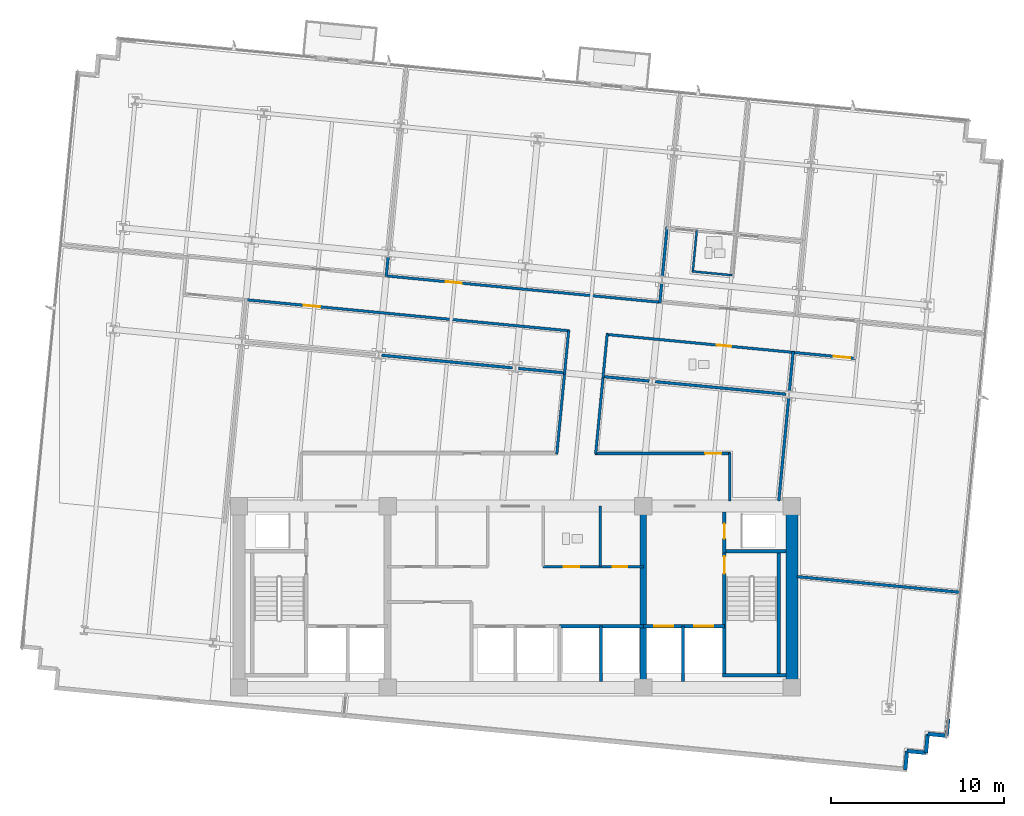
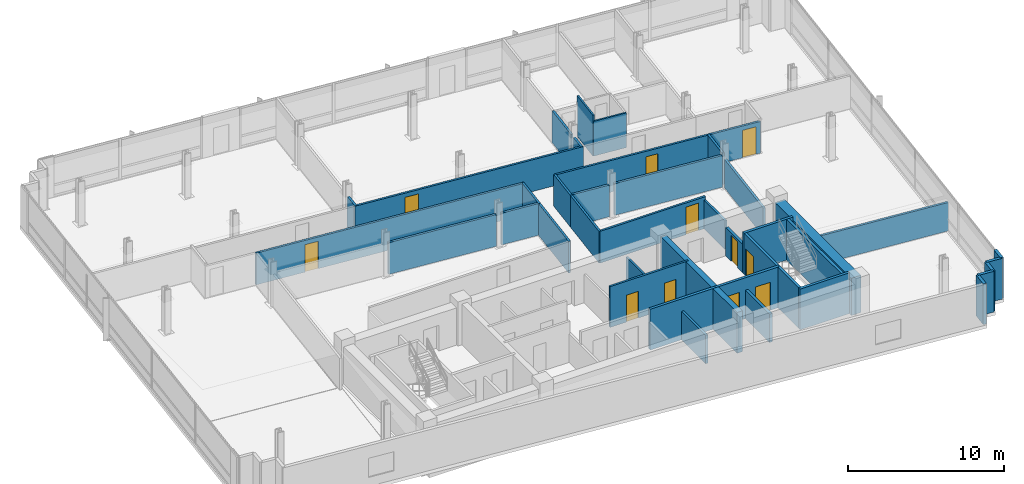
# One storey, part 11 of 17: 40 walls, 11 doors, 11 openings.
"""IFC4 building model written with IfcOpenShell, lengths in metres."""

from ifc_helpers import new_model, si_unit, direction, frame, frame_2d, origin, place, context, subcontext, project, spatial, rectangle, extrude, material, layer, layer_set, type_object, element, fill, save


model = new_model("IFC4")

# Units and contexts
model_context = context("Model", 3, precision=1e-05, world=origin(), true_north=direction((0.0, 1.0)))
body_context = subcontext(model_context, "Body", "Model", "MODEL_VIEW")
ifc_project = project(units=[si_unit("LENGTHUNIT", "METRE"), si_unit("AREAUNIT", "SQUARE_METRE"), si_unit("VOLUMEUNIT", "CUBIC_METRE"), si_unit("PLANEANGLEUNIT", "RADIAN"), si_unit("MASSUNIT", "GRAM", prefix="KILO")], contexts=[model_context])

# Site, building, storey
site_placement = place(None, origin())
site = spatial("IfcSite", under=ifc_project, at=site_placement, CompositionType="ELEMENT")
building_placement = place(site_placement, origin())
building = spatial("IfcBuilding", under=site, at=building_placement, Name="Solmavex Isthmus Hotel", CompositionType="ELEMENT")
storey_placement = place(building_placement, frame((0.0, 0.0, 163.5)))
storey = spatial("IfcBuildingStorey", under=building, at=storey_placement, Name="L44", CompositionType="ELEMENT", Elevation=163.5)

# Walls
ifc_material_1 = material(Name="Precast Concrete C40/50", Category="concrete")
ifc_layer_1 = layer(ifc_material_1, 0.25)
ifc_layer_set_1 = layer_set([ifc_layer_1], Name="Precast Concrete C40/50")
wall_type_1 = type_object("IfcWallType", Name="EW-TWR-250", PredefinedType="STANDARD", material=ifc_layer_set_1)
wall_1_placement = place(storey_placement, frame((25.0615234375, -14.804931640625, 0.0), z_axis=(0.0, 0.0, 1.0), x_axis=(-0.095914428506, -0.995389583231, 0.0)))
element("IfcWall", 1, at=wall_1_placement, inside=storey, type_object=wall_type_1, Name="Serrated Corner Facade Panel L44-21", PredefinedType="STANDARD", context=body_context, shape_type="SweptSolid", body=[
    extrude(rectangle(XDim=0.990234375, YDim=0.219970703125, at=frame_2d((0.4951171875, 0.0))), origin(), (0.0, 0.0, 1.0), 3.18994140625),
])
for number, where, z_axis, x_axis, name in (
    (2, (24.966552734375, -15.79052734375, 0.0), (0.0, 0.0, 1.0), (-0.995393156894, 0.095877334176, 0.0), "Serrated Corner Facade Panel L44-22"),
    (3, (23.87158203125, -15.68505859375, 0.0), (0.0, 0.0, 1.0), (-0.095877334176, -0.995393156894, 0.0), "Serrated Corner Facade Panel L44-23"),
    (4, (23.76611328125, -16.780029296875, 0.0), (0.0, 0.0, 1.0), (-0.995393156894, 0.095877334176, 0.0), "Serrated Corner Facade Panel L44-24"),
    (5, (22.671142578125, -16.674560546875, 0.0), (0.0, 0.0, 1.0), (-0.095657429048, -0.995414313875, 0.0), "Serrated Corner Facade Panel L44-25"),
):
    element("IfcWall", number, at=place(storey_placement, frame(where, z_axis=z_axis, x_axis=x_axis)), inside=storey, type_object=wall_type_1, Name=name, PredefinedType="STANDARD", context=body_context, shape_type="SweptSolid", body=[
        extrude(rectangle(XDim=1.10009765625, YDim=0.219970703125, at=frame_2d((0.550048828125, 0.0))), origin(), (0.0, 0.0, 1.0), 3.18994140625),
    ])
ifc_material_2 = material(Name="Gypsum plasterboard lining", Category="gypsum")
ifc_layer_2 = layer(ifc_material_2, 0.159912109375)
ifc_layer_set_2 = layer_set([ifc_layer_2], Name="Gypsum plasterboard lining")
wall_type_2 = type_object("IfcWallType", Name="IW-COMP-160", PredefinedType="PARTITIONING", material=ifc_layer_set_2)
for number, where, z_axis, x_axis, name in (
    (6, (-7.36865234375, 11.95849609375, 0.0), (0.0, 0.0, 1.0), (-0.095831494917, -0.995397571115, 0.0), "Interior Partition Wall W-L44-P019"),
    (7, (8.469970703125, 10.433349609375, 0.0), (0.0, 0.0, 1.0), (-0.095831494917, -0.995397571115, 0.0), "Interior Partition Wall W-L44-P023"),
):
    element("IfcWall", number, at=place(storey_placement, frame(where, z_axis=z_axis, x_axis=x_axis)), inside=storey, type_object=wall_type_2, Name=name, PredefinedType="PARTITIONING", context=body_context, shape_type="SweptSolid", body=[
        extrude(rectangle(XDim=1.171875, YDim=0.159912109375, at=frame_2d((0.5859375, 0.0))), origin(), (0.0, 0.0, 1.0), 2.4794921875),
    ])
wall_2_placement = place(storey_placement, frame((8.7822265625, 13.676513671875, 0.0), z_axis=(0.0, 0.0, 1.0), x_axis=(-0.095851667856, -0.995395628767, 0.0)))
element("IfcWall", 8, at=wall_2_placement, inside=storey, type_object=wall_type_2, Name="Interior Partition Wall W-L44-P024", PredefinedType="PARTITIONING", context=body_context, shape_type="SweptSolid", body=[
    extrude(rectangle(XDim=2.90625, YDim=0.159912109375, at=frame_2d((1.453125, 0.0))), origin(), (0.0, 0.0, 1.0), 2.4794921875),
])
wall_3_placement = place(storey_placement, frame((7.745361328125, 4.74462890625, 0.0), z_axis=(0.0, 0.0, 1.0), x_axis=(-0.995392910691, 0.095879890208, 0.0)))
element("IfcWall", 9, at=wall_3_placement, inside=storey, type_object=wall_type_2, Name="Interior Partition Wall W-L44-P039", PredefinedType="PARTITIONING", context=body_context, shape_type="SweptSolid", body=[
    extrude(rectangle(XDim=2.721923828125, YDim=0.159912109375, at=frame_2d((1.36083984375, 0.0))), origin(), (0.0, 0.0, 1.0), 2.4794921875),
])
wall_4_placement = place(storey_placement, frame((15.664794921875, 3.982177734375, 0.0), z_axis=(0.0, 0.0, 1.0), x_axis=(-0.995396667246, 0.095840882902, 0.0)))
element("IfcWall", 10, at=wall_4_placement, inside=storey, type_object=wall_type_2, Name="Interior Partition Wall W-L44-P040", PredefinedType="PARTITIONING", context=body_context, shape_type="SweptSolid", body=[
    extrude(rectangle(XDim=7.603759765625, YDim=0.159912109375, at=frame_2d((3.8017578125, 0.0))), origin(), (0.0, 0.0, 1.0), 2.4794921875),
])
wall_5_placement = place(storey_placement, frame((16.07861328125, 6.44384765625, 0.0), z_axis=(0.0, 0.0, 1.0), x_axis=(-0.095794827695, -0.995401100555, 0.0)))
element("IfcWall", 11, at=wall_5_placement, inside=storey, type_object=wall_type_2, Name="Interior Partition Wall W-L44-P041", PredefinedType="PARTITIONING", context=body_context, shape_type="SweptSolid", body=[
    extrude(rectangle(XDim=2.314208984375, YDim=0.159912109375, at=frame_2d((1.1572265625, 0.0))), origin(), (0.0, 0.0, 1.0), 2.4794921875),
])
wall_6_placement = place(storey_placement, frame((-0.173828125, 5.507080078125, 0.0), z_axis=(0.0, 0.0, 1.0), x_axis=(-0.995393898805, 0.095869631385, 0.0)))
element("IfcWall", 12, at=wall_6_placement, inside=storey, type_object=wall_type_2, Name="Interior Partition Wall W-L44-P043", PredefinedType="PARTITIONING", context=body_context, shape_type="SweptSolid", body=[
    extrude(rectangle(XDim=7.60400390625, YDim=0.159912109375, at=frame_2d((3.802001953125, 0.0))), origin(), (0.0, 0.0, 1.0), 2.4794921875),
])
wall_7_placement = place(storey_placement, frame((2.885986328125, 5.212646484375, 0.0), z_axis=(0.0, 0.0, 1.0), x_axis=(-0.995401466761, 0.095791022391, 0.0)))
element("IfcWall", 13, at=wall_7_placement, inside=storey, type_object=wall_type_2, Name="Interior Partition Wall W-L44-P044", PredefinedType="PARTITIONING", context=body_context, shape_type="SweptSolid", body=[
    extrude(rectangle(XDim=2.721923828125, YDim=0.159912109375, at=frame_2d((1.36083984375, 0.0))), origin(), (0.0, 0.0, 1.0), 2.4794921875),
])
wall_8_placement = place(storey_placement, frame((15.8232421875, 3.7900390625, 0.0), z_axis=(0.0, 0.0, 1.0), x_axis=(-0.095865726078, -0.99539427493, 0.0)))
element("IfcWall", 14, at=wall_8_placement, inside=storey, type_object=wall_type_2, Name="Interior Partition Wall W-L44-P046", PredefinedType="PARTITIONING", context=body_context, shape_type="SweptSolid", body=[
    extrude(rectangle(XDim=6.007568359375, YDim=0.159912109375, at=frame_2d((3.00390625, 0.0))), origin(), (0.0, 0.0, 1.0), 2.22509765625),
])
wall_9_placement = place(storey_placement, frame((25.795654296875, -7.49169921875, 0.0), z_axis=(0.0, 0.0, 1.0), x_axis=(-0.995396487733, 0.095842747294, 0.0)))
element("IfcWall", 15, at=wall_9_placement, inside=storey, type_object=wall_type_2, Name="Interior Partition Wall W-L44-P049", PredefinedType="PARTITIONING", context=body_context, shape_type="SweptSolid", body=[
    extrude(rectangle(XDim=9.529541015625, YDim=0.159912109375, at=frame_2d((4.7646484375, 0.0))), origin(), (0.0, 0.0, 1.0), 2.22509765625),
])

# Wall, openings, doors
ifc_layer_3 = layer(ifc_material_2, 0.14990234375)
ifc_layer_set_3 = layer_set([ifc_layer_3], Name="Gypsum plasterboard lining")
wall_type_3 = type_object("IfcWallType", Name="IW-CORR-150", PredefinedType="PARTITIONING", material=ifc_layer_set_3)
wall_10_placement = place(storey_placement, frame((1.60009765625, -6.0, 0.0), z_axis=(0.0, 0.0, 1.0), x_axis=(1.0, 0.0, 0.0)))
wall_10 = element("IfcWall", 16, at=wall_10_placement, inside=storey, type_object=wall_type_3, Name="Interior Partition Wall W-L44-BOH-ES", PredefinedType="PARTITIONING", context=body_context, shape_type="SweptSolid", body=[
    extrude(rectangle(XDim=5.7998046875, YDim=0.14990234375, at=frame_2d((2.89990234375, 0.0))), origin(), (0.0, 0.0, 1.0), 3.18994140625),
])
opening_1_placement = place(wall_10_placement, frame((1.199951171875, 0.0, 0.0)))
opening_1 = element("IfcOpeningElement", 17, at=opening_1_placement, cuts=wall_10, Name="Opening ID-C090", PredefinedType="OPENING", context=body_context, shape_type="SweptSolid", body=[
    extrude(rectangle(XDim=0.89990234375, YDim=2.10009765625, at=frame_2d((0.449951171875, 1.050048828125))), frame((0.0, 0.0849609375, 0.0), z_axis=(0.0, -1.0, 0.0), x_axis=(1.0, 0.0, 0.0)), (0.0, 0.0, 1.0), 0.169921875),
])
opening_2_placement = place(wall_10_placement, frame((4.02490234375, 0.0, 0.0)))
opening_2 = element("IfcOpeningElement", 18, at=opening_2_placement, cuts=wall_10, Name="Opening ID-R085", PredefinedType="OPENING", context=body_context, shape_type="SweptSolid", body=[
    extrude(rectangle(XDim=0.85009765625, YDim=2.050048828125, at=frame_2d((0.425048828125, 1.02490234375))), frame((0.0, 0.0849609375, 0.0), z_axis=(0.0, -1.0, 0.0), x_axis=(1.0, 0.0, 0.0)), (0.0, 0.0, 1.0), 0.169921875),
])
ifc_material_3 = material(Name="Steel ASTM A500 Grade C", Category="steel")
door_type_1 = type_object("IfcDoorType", Name="IDR-FD60-0850", OperationType="NOTDEFINED", PredefinedType="DOOR", material=ifc_material_3)
door_1_placement = place(opening_2_placement, frame((0.85009765625, 0.0, 0.0), z_axis=(0.0, 0.0, 1.0), x_axis=(-1.0, 0.0, 0.0)))
door_1 = element("IfcDoor", 19, at=door_1_placement, inside=storey, type_object=door_type_1, Name="IT Room Door L44", OperationType="SINGLE_SWING_RIGHT", OverallHeight=2.050048828125, OverallWidth=0.85009765625, PredefinedType="DOOR", context=body_context, shape_type="SweptSolid", body=[
    extrude(rectangle(XDim=0.85009765625, YDim=2.050048828125, at=frame_2d((0.425048828125, 1.02490234375))), frame((0.0, 0.02490234375, 0.0), z_axis=(0.0, -1.0, 0.0), x_axis=(1.0, 0.0, 0.0)), (0.0, 0.0, 1.0), 0.050048828125),
])
fill(opening_2, door_1)
ifc_material_4 = material(Name="Hardwood timber", Category="wood")
door_type_2 = type_object("IfcDoorType", Name="IDR-FD60-0900", OperationType="NOTDEFINED", PredefinedType="DOOR", material=ifc_material_4)
door_2_placement = place(opening_1_placement, frame((0.89990234375, 0.0, 0.0), z_axis=(0.0, 0.0, 1.0), x_axis=(-1.0, 0.0, 0.0)))
door_2 = element("IfcDoor", 20, at=door_2_placement, inside=storey, type_object=door_type_2, Name="Staff Restroom Door L44", OperationType="SINGLE_SWING_LEFT", OverallHeight=2.10009765625, OverallWidth=0.89990234375, PredefinedType="DOOR", context=body_context, shape_type="SweptSolid", body=[
    extrude(rectangle(XDim=0.89990234375, YDim=2.10009765625, at=frame_2d((0.449951171875, 1.050048828125))), frame((0.0, 0.02490234375, 0.0), z_axis=(0.0, -1.0, 0.0), x_axis=(1.0, 0.0, 0.0)), (0.0, 0.0, 1.0), 0.050048828125),
])
fill(opening_1, door_2)

# Wall, opening, door
wall_11_placement = place(storey_placement, frame((-7.558837890625, 10.839599609375, 0.0), z_axis=(0.0, 0.0, 1.0), x_axis=(0.995396443768, -0.095843203903, 0.0)))
wall_11 = element("IfcWall", 21, at=wall_11_placement, inside=storey, type_object=wall_type_3, Name="Interior Partition Wall W-L44-P002", PredefinedType="PARTITIONING", context=body_context, shape_type="SweptSolid", body=[
    extrude(rectangle(XDim=16.075927734375, YDim=0.14990234375, at=frame_2d((8.0380859375, 0.0))), origin(), (0.0, 0.0, 1.0), 2.4794921875),
])
opening_3_placement = place(wall_11_placement, frame((3.531982421875, 0.0, 0.0)))
opening_3 = element("IfcOpeningElement", 22, at=opening_3_placement, cuts=wall_11, Name="Opening ID-C095", PredefinedType="OPENING", context=body_context, shape_type="SweptSolid", body=[
    extrude(rectangle(XDim=0.949951171875, YDim=2.14990234375, at=frame_2d((0.47509765625, 1.074951171875))), frame((0.0, 0.0849609375, 0.0), z_axis=(0.0, -1.0, 0.0), x_axis=(1.0, 0.0, 0.0)), (0.0, 0.0, 1.0), 0.169921875),
])
door_type_3 = type_object("IfcDoorType", Name="IDR-FD60-0950", OperationType="NOTDEFINED", PredefinedType="DOOR", material=ifc_material_4)
door_3_placement = place(opening_3_placement, frame((0.949951171875, 0.0, 0.0), z_axis=(0.0, 0.0, 1.0), x_axis=(-1.0, 0.0, 0.0)))
door_3 = element("IfcDoor", 23, at=door_3_placement, inside=storey, type_object=door_type_3, Name="Corporate Briefing Office Door L44-02", OperationType="SINGLE_SWING_RIGHT", OverallHeight=2.14990234375, OverallWidth=0.949951171875, PredefinedType="DOOR", context=body_context, shape_type="SweptSolid", body=[
    extrude(rectangle(XDim=0.949951171875, YDim=2.14990234375, at=frame_2d((0.47509765625, 1.074951171875))), frame((0.0, 0.02490234375, 0.0), z_axis=(0.0, -1.0, 0.0), x_axis=(1.0, 0.0, 0.0)), (0.0, 0.0, 1.0), 0.050048828125),
])
fill(opening_3, door_3)

wall_12_placement = place(storey_placement, frame((16.156494140625, 6.39599609375, 0.0), z_axis=(0.0, 0.0, 1.0), x_axis=(-0.99539478422, 0.095860437863, 0.0)))
wall_12 = element("IfcWall", 24, at=wall_12_placement, inside=storey, type_object=wall_type_3, Name="Interior Partition Wall W-L44-P005", PredefinedType="PARTITIONING", context=body_context, shape_type="SweptSolid", body=[
    extrude(rectangle(XDim=10.93603515625, YDim=0.14990234375, at=frame_2d((5.468017578125, 0.0))), origin(), (0.0, 0.0, 1.0), 2.4794921875),
])
opening_4_placement = place(wall_12_placement, frame((3.675048828125, 0.0, 0.0)))
opening_4 = element("IfcOpeningElement", 25, at=opening_4_placement, cuts=wall_12, Name="Opening ID-R085", PredefinedType="OPENING", context=body_context, shape_type="SweptSolid", body=[
    extrude(rectangle(XDim=0.85009765625, YDim=2.050048828125, at=frame_2d((0.425048828125, 1.02490234375))), frame((0.0, 0.0849609375, 0.0), z_axis=(0.0, -1.0, 0.0), x_axis=(1.0, 0.0, 0.0)), (0.0, 0.0, 1.0), 0.169921875),
])
door_4_placement = place(opening_4_placement, frame((0.85009765625, 0.0, 0.0), z_axis=(0.0, 0.0, 1.0), x_axis=(-1.0, 0.0, 0.0)))
door_4 = element("IfcDoor", 26, at=door_4_placement, inside=storey, type_object=door_type_1, Name="Accessible Public Restroom WC Door L44-08", OperationType="SINGLE_SWING_RIGHT", OverallHeight=2.050048828125, OverallWidth=0.85009765625, PredefinedType="DOOR", context=body_context, shape_type="SweptSolid", body=[
    extrude(rectangle(XDim=0.85009765625, YDim=2.050048828125, at=frame_2d((0.425048828125, 1.02490234375))), frame((0.0, 0.02490234375, 0.0), z_axis=(0.0, -1.0, 0.0), x_axis=(1.0, 0.0, 0.0)), (0.0, 0.0, 1.0), 0.050048828125),
])
fill(opening_4, door_4)

# Walls
for number, where, z_axis, x_axis, name in (
    (27, (5.314453125, 7.480224609375, 0.0), (0.0, 0.0, 1.0), (-0.09587519517, -0.995393362923, 0.0), "Interior Partition Wall W-L44-P006"),
    (28, (2.83837890625, 5.134765625, 0.0), (0.0, 0.0, 1.0), (0.095772090971, 0.995403288417, 0.0), "Interior Partition Wall W-L44-P007"),
):
    element("IfcWall", number, at=place(storey_placement, frame(where, z_axis=z_axis, x_axis=x_axis)), inside=storey, type_object=wall_type_3, Name=name, PredefinedType="PARTITIONING", context=body_context, shape_type="SweptSolid", body=[
        extrude(rectangle(XDim=2.572021484375, YDim=0.14990234375, at=frame_2d((1.2861328125, 0.0))), origin(), (0.0, 0.0, 1.0), 2.4794921875),
    ])

# Wall, opening, door
wall_13_placement = place(storey_placement, frame((3.120849609375, 7.6513671875, 0.0), z_axis=(0.0, 0.0, 1.0), x_axis=(-0.995397135603, 0.095836018457, 0.0)))
wall_13 = element("IfcWall", 29, at=wall_13_placement, inside=storey, type_object=wall_type_3, Name="Interior Partition Wall W-L44-P008", PredefinedType="PARTITIONING", context=body_context, shape_type="SweptSolid", body=[
    extrude(rectangle(XDim=18.89208984375, YDim=0.14990234375, at=frame_2d((9.446044921875, 0.0))), origin(), (0.0, 0.0, 1.0), 2.4794921875),
])
opening_5_placement = place(wall_13_placement, frame((14.501708984375, 0.0, 0.0)))
opening_5 = element("IfcOpeningElement", 30, at=opening_5_placement, cuts=wall_13, Name="Opening ID-C095", PredefinedType="OPENING", context=body_context, shape_type="SweptSolid", body=[
    extrude(rectangle(XDim=0.949951171875, YDim=2.14990234375, at=frame_2d((0.47509765625, 1.074951171875))), frame((0.0, 0.0849609375, 0.0), z_axis=(0.0, -1.0, 0.0), x_axis=(1.0, 0.0, 0.0)), (0.0, 0.0, 1.0), 0.169921875),
])
door_5_placement = place(opening_5_placement, frame((0.949951171875, 0.0, 0.0), z_axis=(0.0, 0.0, 1.0), x_axis=(-1.0, 0.0, 0.0)))
door_5 = element("IfcDoor", 31, at=door_5_placement, inside=storey, type_object=door_type_3, Name="Private Dining Room Door L44-09", OperationType="SINGLE_SWING_LEFT", OverallHeight=2.14990234375, OverallWidth=0.949951171875, PredefinedType="DOOR", context=body_context, shape_type="SweptSolid", body=[
    extrude(rectangle(XDim=0.949951171875, YDim=2.14990234375, at=frame_2d((0.47509765625, 1.074951171875))), frame((0.0, 0.02490234375, 0.0), z_axis=(0.0, -1.0, 0.0), x_axis=(1.0, 0.0, 0.0)), (0.0, 0.0, 1.0), 0.050048828125),
])
fill(opening_5, door_5)

# Wall
wall_14_placement = place(storey_placement, frame((5.083740234375, 5.083251953125, 0.0), z_axis=(0.0, 0.0, 1.0), x_axis=(-0.095867331855, -0.995394120277, 0.0)))
element("IfcWall", 32, at=wall_14_placement, inside=storey, type_object=wall_type_3, Name="Interior Partition Wall W-L44-P009", PredefinedType="PARTITIONING", context=body_context, shape_type="SweptSolid", body=[
    extrude(rectangle(XDim=4.59423828125, YDim=0.14990234375, at=frame_2d((2.297119140625, 0.0))), origin(), (0.0, 0.0, 1.0), 2.4794921875),
])

# Wall, opening, door
wall_15_placement = place(storey_placement, frame((4.607177734375, 0.550048828125, 0.0), z_axis=(0.0, 0.0, 1.0), x_axis=(1.0, 0.0, 0.0)))
wall_15 = element("IfcWall", 33, at=wall_15_placement, inside=storey, type_object=wall_type_3, Name="Interior Partition Wall W-L44-P010", PredefinedType="PARTITIONING", context=body_context, shape_type="SweptSolid", body=[
    extrude(rectangle(XDim=7.832763671875, YDim=0.14990234375, at=frame_2d((3.91650390625, 0.0))), origin(), (0.0, 0.0, 1.0), 2.4794921875),
])
opening_6_placement = place(wall_15_placement, frame((6.3720703125, 0.0, 0.0)))
opening_6 = element("IfcOpeningElement", 34, at=opening_6_placement, cuts=wall_15, Name="Opening ID-C095", PredefinedType="OPENING", context=body_context, shape_type="SweptSolid", body=[
    extrude(rectangle(XDim=0.949951171875, YDim=2.14990234375, at=frame_2d((0.47509765625, 1.074951171875))), frame((0.0, 0.0849609375, 0.0), z_axis=(0.0, -1.0, 0.0), x_axis=(1.0, 0.0, 0.0)), (0.0, 0.0, 1.0), 0.169921875),
])
door_6_placement = place(opening_6_placement, origin())
door_6 = element("IfcDoor", 35, at=door_6_placement, inside=storey, type_object=door_type_3, Name="Catering Servery Kitchen Door L44-10", OperationType="SINGLE_SWING_RIGHT", OverallHeight=2.14990234375, OverallWidth=0.949951171875, PredefinedType="DOOR", context=body_context, shape_type="SweptSolid", body=[
    extrude(rectangle(XDim=0.949951171875, YDim=2.14990234375, at=frame_2d((0.47509765625, 1.074951171875))), frame((0.0, 0.02490234375, 0.0), z_axis=(0.0, -1.0, 0.0), x_axis=(1.0, 0.0, 0.0)), (0.0, 0.0, 1.0), 0.050048828125),
])
fill(opening_6, door_6)

# Walls
wall_16_placement = place(storey_placement, frame((12.39990234375, 0.590087890625, 0.0), z_axis=(0.0, 0.0, 1.0), x_axis=(0.0, -1.0, 0.0)))
element("IfcWall", 36, at=wall_16_placement, inside=storey, type_object=wall_type_3, Name="Interior Partition Wall W-L44-P011", PredefinedType="PARTITIONING", context=body_context, shape_type="SweptSolid", body=[
    extrude(rectangle(XDim=2.780029296875, YDim=0.14990234375, at=frame_2d((1.39013671875, 0.0))), origin(), (0.0, 0.0, 1.0), 2.22509765625),
])
wall_17_placement = place(storey_placement, frame((2.39306640625, 0.51025390625, 0.0), z_axis=(0.0, 0.0, 1.0), x_axis=(0.095829431913, 0.995397769728, 0.0)))
element("IfcWall", 37, at=wall_17_placement, inside=storey, type_object=wall_type_3, Name="Interior Partition Wall W-L44-P014", PredefinedType="PARTITIONING", context=body_context, shape_type="SweptSolid", body=[
    extrude(rectangle(XDim=4.81005859375, YDim=0.14990234375, at=frame_2d((2.405029296875, 0.0))), origin(), (0.0, 0.0, 1.0), 2.4794921875),
])

# Wall, opening, door
wall_18_placement = place(storey_placement, frame((19.697998046875, 6.05517578125, 0.0), z_axis=(0.0, 0.0, 1.0), x_axis=(-0.995397364202, 0.095833644092, 0.0)))
wall_18 = element("IfcWall", 38, at=wall_18_placement, inside=storey, type_object=wall_type_3, Name="Interior Partition Wall W-L44-P016", PredefinedType="PARTITIONING", context=body_context, shape_type="SweptSolid", body=[
    extrude(rectangle(XDim=3.721923828125, YDim=0.14990234375, at=frame_2d((1.86083984375, 0.0))), origin(), (0.0, 0.0, 1.0), 2.4794921875),
])
opening_7_placement = place(wall_18_placement, frame((0.315185546875, 0.0, 0.0)))
opening_7 = element("IfcOpeningElement", 39, at=opening_7_placement, cuts=wall_18, Name="Opening ID-C095", PredefinedType="OPENING", context=body_context, shape_type="SweptSolid", body=[
    extrude(rectangle(XDim=0.949951171875, YDim=2.14990234375, at=frame_2d((0.47509765625, 1.074951171875))), frame((0.0, 0.0849609375, 0.0), z_axis=(0.0, -1.0, 0.0), x_axis=(1.0, 0.0, 0.0)), (0.0, 0.0, 1.0), 0.169921875),
])
door_7_placement = place(opening_7_placement, frame((0.949951171875, 0.0, 0.0), z_axis=(0.0, 0.0, 1.0), x_axis=(-1.0, 0.0, 0.0)))
door_7 = element("IfcDoor", 40, at=door_7_placement, inside=storey, type_object=door_type_3, Name="Corporate Briefing Office Door L44-12", OperationType="SINGLE_SWING_RIGHT", OverallHeight=2.14990234375, OverallWidth=0.949951171875, PredefinedType="DOOR", context=body_context, shape_type="SweptSolid", body=[
    extrude(rectangle(XDim=0.949951171875, YDim=2.14990234375, at=frame_2d((0.47509765625, 1.074951171875))), frame((0.0, 0.02490234375, 0.0), z_axis=(0.0, -1.0, 0.0), x_axis=(1.0, 0.0, 0.0)), (0.0, 0.0, 1.0), 0.050048828125),
])
fill(opening_7, door_7)

# Walls
ifc_layer_4 = layer(ifc_material_2, 0.1201171875)
ifc_layer_set_4 = layer_set([ifc_layer_4], Name="Gypsum plasterboard lining")
wall_type_4 = type_object("IfcWallType", Name="IW-PART-120", PredefinedType="PARTITIONING", material=ifc_layer_set_4)
wall_19_placement = place(storey_placement, frame((4.89990234375, -6.0, 0.0), z_axis=(0.0, 0.0, 1.0), x_axis=(0.0, 1.0, 0.0)))
element("IfcWall", 41, at=wall_19_placement, inside=storey, type_object=wall_type_4, Name="Interior Partition Wall W-L44-BOH-EM2", PredefinedType="PARTITIONING", context=body_context, shape_type="SweptSolid", body=[
    extrude(rectangle(XDim=3.5, YDim=0.14990234375, at=frame_2d((1.75, 0.0))), origin(), (0.0, 0.0, 1.0), 2.22509765625),
])
wall_20_placement = place(storey_placement, frame((10.498291015625, 13.468994140625, 0.0), z_axis=(0.0, 0.0, 1.0), x_axis=(-0.095842578202, -0.995396504014, 0.0)))
element("IfcWall", 42, at=wall_20_placement, inside=storey, type_object=wall_type_4, Name="Interior Partition Wall W-L44-P029", PredefinedType="PARTITIONING", context=body_context, shape_type="SweptSolid", body=[
    extrude(rectangle(XDim=2.43017578125, YDim=0.1201171875, at=frame_2d((1.215087890625, 0.0))), origin(), (0.0, 0.0, 1.0), 3.18994140625),
])
wall_21_placement = place(storey_placement, frame((10.2294921875, 11.09375, 0.0), z_axis=(0.0, 0.0, 1.0), x_axis=(0.995403652262, -0.095768309281, 0.0)))
element("IfcWall", 43, at=wall_21_placement, inside=storey, type_object=wall_type_4, Name="Interior Partition Wall W-L44-P030", PredefinedType="PARTITIONING", context=body_context, shape_type="SweptSolid", body=[
    extrude(rectangle(XDim=2.330078125, YDim=0.1201171875, at=frame_2d((1.1650390625, 0.0))), origin(), (0.0, 0.0, 1.0), 2.718017578125),
])
ifc_material_5 = material(Name="Concrete C40/50", Category="concrete")
ifc_layer_5 = layer(ifc_material_5, 0.179931640625)
ifc_layer_set_5 = layer_set([ifc_layer_5], Name="Concrete C40/50")
wall_type_5 = type_object("IfcWallType", Name="IW-SHAFT-180", PredefinedType="PARTITIONING", material=ifc_layer_set_5)
wall_22_placement = place(storey_placement, frame((4.949951171875, -12.64990234375, 0.0), z_axis=(0.0, 0.0, 1.0), x_axis=(0.0, 1.0, 0.0)))
element("IfcWall", 44, at=wall_22_placement, inside=storey, type_object=wall_type_5, Name="Interior Partition Wall W-L44-SH-PLH-M", PredefinedType="PARTITIONING", context=body_context, shape_type="SweptSolid", body=[
    extrude(rectangle(XDim=3.199951171875, YDim=0.179931640625, at=frame_2d((1.60009765625, 0.0))), origin(), (0.0, 0.0, 1.0), 2.22509765625),
])

# Wall, opening, door
ifc_layer_6 = layer(ifc_material_5, 0.199951171875)
ifc_layer_set_6 = layer_set([ifc_layer_6], Name="Concrete C40/50")
wall_type_6 = type_object("IfcWallType", Name="IW-SHAFT-200", PredefinedType="PARTITIONING", material=ifc_layer_set_6)
wall_23_placement = place(storey_placement, frame((12.10009765625, -5.199951171875, 0.0), z_axis=(0.0, 0.0, 1.0), x_axis=(0.0, 1.0, 0.0)))
wall_23 = element("IfcWall", 45, at=wall_23_placement, inside=storey, type_object=wall_type_6, Name="Interior Partition Wall W-L44-RSE-W", PredefinedType="PARTITIONING", context=body_context, shape_type="SweptSolid", body=[
    extrude(rectangle(XDim=2.349853515625, YDim=0.199951171875, at=frame_2d((1.1748046875, 0.0))), origin(), (0.0, 0.0, 1.0), 2.22509765625),
])
opening_8_placement = place(wall_23_placement, frame((0.824951171875, 0.0, 0.0)))
opening_8 = element("IfcOpeningElement", 46, at=opening_8_placement, cuts=wall_23, Name="Opening ID-R085", PredefinedType="OPENING", context=body_context, shape_type="SweptSolid", body=[
    extrude(rectangle(XDim=0.85009765625, YDim=2.050048828125, at=frame_2d((0.425048828125, 1.02490234375))), frame((0.0, 0.10986328125, 0.0), z_axis=(0.0, -1.0, 0.0), x_axis=(1.0, 0.0, 0.0)), (0.0, 0.0, 1.0), 0.219970703125),
])
door_8_placement = place(opening_8_placement, frame((0.85009765625, 0.0, 0.0), z_axis=(0.0, 0.0, 1.0), x_axis=(-1.0, 0.0, 0.0)))
door_8 = element("IfcDoor", 47, at=door_8_placement, inside=storey, type_object=door_type_1, Name="Mechanical Riser Door L44", OperationType="SINGLE_SWING_LEFT", OverallHeight=2.050048828125, OverallWidth=0.85009765625, PredefinedType="DOOR", context=body_context, shape_type="SweptSolid", body=[
    extrude(rectangle(XDim=0.85009765625, YDim=2.050048828125, at=frame_2d((0.425048828125, 1.02490234375))), frame((0.0, 0.02490234375, 0.0), z_axis=(0.0, -1.0, 0.0), x_axis=(1.0, 0.0, 0.0)), (0.0, 0.0, 1.0), 0.050048828125),
])
fill(opening_8, door_8)

# Wall, openings, doors
wall_24_placement = place(storey_placement, frame((7.39990234375, -9.449951171875, 0.0), z_axis=(0.0, 0.0, 1.0), x_axis=(1.0, 0.0, 0.0)))
wall_24 = element("IfcWall", 48, at=wall_24_placement, inside=storey, type_object=wall_type_6, Name="Interior Partition Wall W-L44-FFLE-S", PredefinedType="PARTITIONING", context=body_context, shape_type="SweptSolid", body=[
    extrude(rectangle(XDim=4.7001953125, YDim=0.199951171875, at=frame_2d((2.35009765625, 0.0))), origin(), (0.0, 0.0, 1.0), 3.18994140625),
])
opening_9_placement = place(wall_24_placement, frame((2.949951171875, 0.0, 0.0)))
opening_9 = element("IfcOpeningElement", 49, at=opening_9_placement, cuts=wall_24, Name="Opening LD-FF", PredefinedType="OPENING", context=body_context, shape_type="SweptSolid", body=[
    extrude(rectangle(XDim=1.10009765625, YDim=2.199951171875, at=frame_2d((0.550048828125, 1.10009765625))), frame((0.0, 0.10986328125, 0.0), z_axis=(0.0, -1.0, 0.0), x_axis=(1.0, 0.0, 0.0)), (0.0, 0.0, 1.0), 0.219970703125),
])
opening_10_placement = place(wall_24_placement, frame((0.64990234375, 0.0, 0.0)))
opening_10 = element("IfcOpeningElement", 50, at=opening_10_placement, cuts=wall_24, Name="Opening LD-SV", PredefinedType="OPENING", context=body_context, shape_type="SweptSolid", body=[
    extrude(rectangle(XDim=1.10009765625, YDim=2.199951171875, at=frame_2d((0.550048828125, 1.10009765625))), frame((0.0, 0.10986328125, 0.0), z_axis=(0.0, -1.0, 0.0), x_axis=(1.0, 0.0, 0.0)), (0.0, 0.0, 1.0), 0.219970703125),
])
ifc_material_6 = material(Name="Stainless steel 316", Category="steel")
door_type_4 = type_object("IfcDoorType", Name="LDR-FF-1100", OperationType="NOTDEFINED", PredefinedType="DOOR", material=ifc_material_6)
door_9_placement = place(opening_9_placement, origin())
door_9 = element("IfcDoor", 51, at=door_9_placement, inside=storey, type_object=door_type_4, Name="Lift Landing Door FFL-2 L44", OperationType="SLIDING_TO_LEFT", OverallHeight=2.199951171875, OverallWidth=1.10009765625, PredefinedType="DOOR", context=body_context, shape_type="SweptSolid", body=[
    extrude(rectangle(XDim=1.10009765625, YDim=2.199951171875, at=frame_2d((0.550048828125, 1.10009765625))), frame((0.0, 0.02490234375, 0.0), z_axis=(0.0, -1.0, 0.0), x_axis=(1.0, 0.0, 0.0)), (0.0, 0.0, 1.0), 0.050048828125),
])
fill(opening_9, door_9)
door_type_5 = type_object("IfcDoorType", Name="LDR-SV-1100", OperationType="NOTDEFINED", PredefinedType="DOOR", material=ifc_material_6)
door_10_placement = place(opening_10_placement, origin())
door_10 = element("IfcDoor", 52, at=door_10_placement, inside=storey, type_object=door_type_5, Name="Lift Landing Door SVL-2 L44", OperationType="SLIDING_TO_RIGHT", OverallHeight=2.199951171875, OverallWidth=1.10009765625, PredefinedType="DOOR", context=body_context, shape_type="SweptSolid", body=[
    extrude(rectangle(XDim=1.10009765625, YDim=2.199951171875, at=frame_2d((0.550048828125, 1.10009765625))), frame((0.0, 0.02490234375, 0.0), z_axis=(0.0, -1.0, 0.0), x_axis=(1.0, 0.0, 0.0)), (0.0, 0.0, 1.0), 0.050048828125),
])
fill(opening_10, door_10)

# Walls
wall_25_placement = place(storey_placement, frame((9.699951171875, -12.64990234375, 0.0), z_axis=(0.0, 0.0, 1.0), x_axis=(0.0, 1.0, 0.0)))
element("IfcWall", 53, at=wall_25_placement, inside=storey, type_object=wall_type_6, Name="Interior Partition Wall W-L44-FFLE-M", PredefinedType="PARTITIONING", context=body_context, shape_type="SweptSolid", body=[
    extrude(rectangle(XDim=3.199951171875, YDim=0.199951171875, at=frame_2d((1.60009765625, 0.0))), origin(), (0.0, 0.0, 1.0), 2.22509765625),
])
wall_26_placement = place(storey_placement, frame((2.550048828125, -9.449951171875, 0.0), z_axis=(0.0, 0.0, 1.0), x_axis=(1.0, 0.0, 0.0)))
element("IfcWall", 54, at=wall_26_placement, inside=storey, type_object=wall_type_6, Name="Interior Partition Wall W-L44-SH-PLH", PredefinedType="PARTITIONING", context=body_context, shape_type="SweptSolid", body=[
    extrude(rectangle(XDim=4.849853515625, YDim=0.199951171875, at=frame_2d((2.4248046875, 0.0))), origin(), (0.0, 0.0, 1.0), 3.18994140625),
])
ifc_material_7 = material(Name="Concrete C60/75", Category="concrete")
ifc_layer_7 = layer(ifc_material_7, 0.39990234375)
ifc_layer_set_7 = layer_set([ifc_layer_7], Name="Concrete C60/75")
wall_type_7 = type_object("IfcWallType", Name="WALL-CW-400M", PredefinedType="SHEAR", material=ifc_layer_set_7)
wall_27_placement = place(storey_placement, frame((7.39990234375, -12.64990234375, 0.0), z_axis=(0.0, 0.0, 1.0), x_axis=(0.0, 1.0, 0.0)))
element("IfcWall", 55, at=wall_27_placement, inside=storey, type_object=wall_type_7, Name="Core Cross Shear Wall C2 L44", PredefinedType="SHEAR", context=body_context, shape_type="SweptSolid", body=[
    extrude(rectangle(XDim=9.7998046875, YDim=0.39990234375, at=frame_2d((4.89990234375, 0.0))), origin(), (0.0, 0.0, 1.0), 3.18994140625),
])
ifc_layer_8 = layer(ifc_material_7, 0.699951171875)
ifc_layer_set_8 = layer_set([ifc_layer_8], Name="Concrete C60/75")
wall_type_8 = type_object("IfcWallType", Name="WALL-CW-700", PredefinedType="SHEAR", material=ifc_layer_set_8)
wall_28_placement = place(storey_placement, frame((16.0, -12.64990234375, 0.0), z_axis=(0.0, 0.0, 1.0), x_axis=(0.0, 1.0, 0.0)))
element("IfcWall", 56, at=wall_28_placement, inside=storey, type_object=wall_type_8, Name="Core Shear Wall East L44", PredefinedType="SHEAR", context=body_context, shape_type="SweptSolid", body=[
    extrude(rectangle(XDim=9.7998046875, YDim=0.699951171875, at=frame_2d((4.89990234375, 0.0))), origin(), (0.0, 0.0, 1.0), 2.909912109375),
])
ifc_layer_9 = layer(ifc_material_5, 0.199951171875)
ifc_layer_set_9 = layer_set([ifc_layer_9], Name="Concrete C40/50")
wall_type_9 = type_object("IfcWallType", Name="WALL-SW-200", PredefinedType="SOLIDWALL", material=ifc_layer_set_9)
for number, where, z_axis, x_axis, name in (
    (57, (12.0, -12.300048828125, 0.0), (0.0, 0.0, 1.0), (1.0, 0.0, 0.0), "Stairwell Structural Wall SW-L44-ST2-S"),
    (58, (12.0, -5.10009765625, 0.0), (0.0, 0.0, 1.0), (1.0, 0.0, 0.0), "Stairwell Structural Wall SW-L44-ST2-N"),
):
    element("IfcWall", number, at=place(storey_placement, frame(where, z_axis=z_axis, x_axis=x_axis)), inside=storey, type_object=wall_type_9, Name=name, PredefinedType="SOLIDWALL", context=body_context, shape_type="SweptSolid", body=[
        extrude(rectangle(XDim=3.64990234375, YDim=0.199951171875, at=frame_2d((1.824951171875, 0.0))), origin(), (0.0, 0.0, 1.0), 3.18994140625),
    ])

# Wall, opening, door
wall_29_placement = place(storey_placement, frame((12.10009765625, -12.199951171875, 0.0), z_axis=(0.0, 0.0, 1.0), x_axis=(0.0, 1.0, 0.0)))
wall_29 = element("IfcWall", 59, at=wall_29_placement, inside=storey, type_object=wall_type_9, Name="Stairwell Structural Wall SW-L44-ST2-W", PredefinedType="SOLIDWALL", context=body_context, shape_type="SweptSolid", body=[
    extrude(rectangle(XDim=7.0, YDim=0.199951171875, at=frame_2d((3.5, 0.0))), origin(), (0.0, 0.0, 1.0), 3.18994140625),
])
opening_11_placement = place(wall_29_placement, frame((5.800048828125, 0.0, 0.0)))
opening_11 = element("IfcOpeningElement", 60, at=opening_11_placement, cuts=wall_29, Name="Opening ID-F100", PredefinedType="OPENING", context=body_context, shape_type="SweptSolid", body=[
    extrude(rectangle(XDim=1.0, YDim=2.10009765625, at=frame_2d((0.5, 1.050048828125))), frame((0.0, 0.10986328125, 0.0), z_axis=(0.0, -1.0, 0.0), x_axis=(1.0, 0.0, 0.0)), (0.0, 0.0, 1.0), 0.219970703125),
])
door_type_6 = type_object("IfcDoorType", Name="IDR-FD90-1000", OperationType="NOTDEFINED", PredefinedType="DOOR", material=ifc_material_3)
door_11_placement = place(opening_11_placement, origin())
door_11 = element("IfcDoor", 61, at=door_11_placement, inside=storey, type_object=door_type_6, Name="Stair ST-2 Fire Door L44", OperationType="SINGLE_SWING_RIGHT", OverallHeight=2.10009765625, OverallWidth=1.0, PredefinedType="DOOR", context=body_context, shape_type="SweptSolid", body=[
    extrude(rectangle(XDim=1.0, YDim=2.10009765625, at=frame_2d((0.5, 1.050048828125))), frame((0.0, 0.02490234375, 0.0), z_axis=(0.0, -1.0, 0.0), x_axis=(1.0, 0.0, 0.0)), (0.0, 0.0, 1.0), 0.050048828125),
])
fill(opening_11, door_11)

# Wall
wall_30_placement = place(storey_placement, frame((15.25, -12.199951171875, 0.0), z_axis=(0.0, 0.0, 1.0), x_axis=(0.0, 1.0, 0.0)))
element("IfcWall", 62, at=wall_30_placement, inside=storey, type_object=wall_type_9, Name="Stairwell Structural Wall SW-L44-ST2-E", PredefinedType="SOLIDWALL", context=body_context, shape_type="SweptSolid", body=[
    extrude(rectangle(XDim=7.0, YDim=0.199951171875, at=frame_2d((3.5, 0.0))), origin(), (0.0, 0.0, 1.0), 3.18994140625),
])

save(model, "model.ifc")
